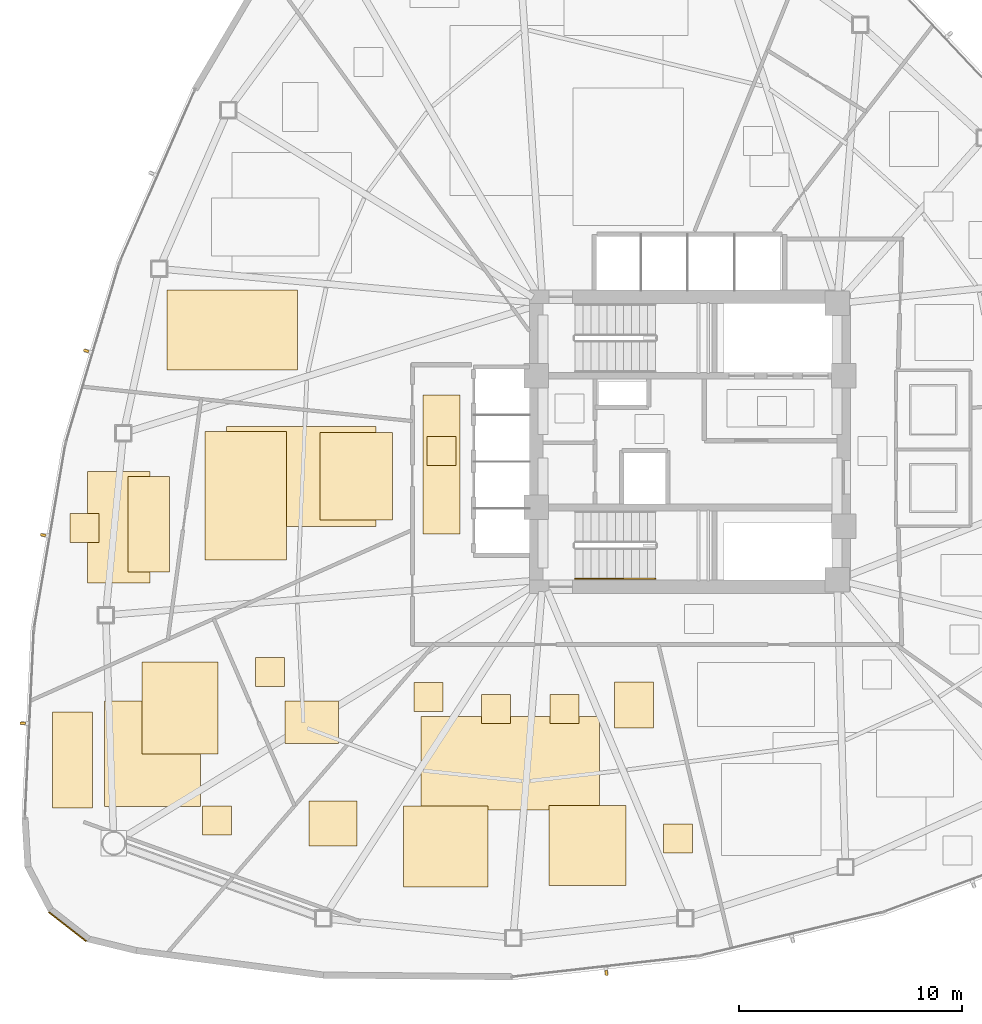
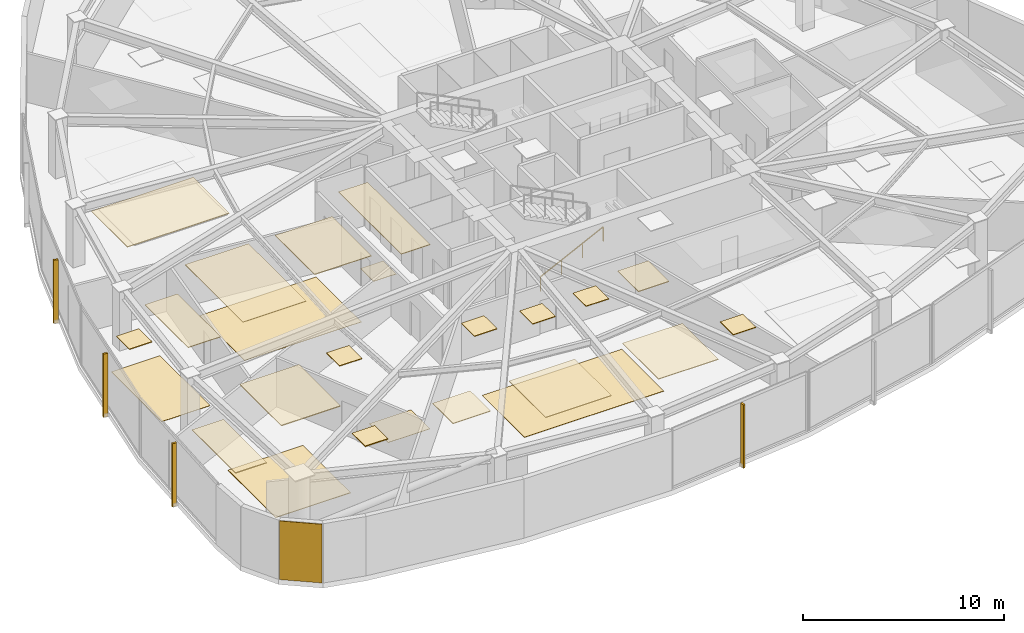
# One storey, part 14 of 17: 25 coverings, 4 shading devices, 1 railing.
"""IFC4 building model written with IfcOpenShell, lengths in metres."""

from ifc_helpers import new_model, si_unit, direction, frame, origin, origin_2d, place, context, subcontext, project, spatial, polyline, rectangle, outline, extrude, source, transform, mapped, material, layer, layer_set, type_object, type_shapes, element, save


model = new_model("IFC4")

# Units and contexts
model_context = context("Model", 3, precision=1e-05, world=origin(), true_north=direction((0.0, 1.0)))
body_context = subcontext(model_context, "Body", "Model", "MODEL_VIEW")
ifc_project = project(units=[si_unit("LENGTHUNIT", "METRE"), si_unit("AREAUNIT", "SQUARE_METRE"), si_unit("VOLUMEUNIT", "CUBIC_METRE"), si_unit("PLANEANGLEUNIT", "RADIAN"), si_unit("MASSUNIT", "GRAM", prefix="KILO")], contexts=[model_context])

# Site, building, storey
site_placement = place(None, origin())
site = spatial("IfcSite", under=ifc_project, at=site_placement, CompositionType="ELEMENT")
building_placement = place(site_placement, origin())
building = spatial("IfcBuilding", under=site, at=building_placement, Name="Tavelor Broadcast Tower", CompositionType="ELEMENT")
storey_placement = place(building_placement, frame((0.0, 0.0, 66.60009765625)))
storey = spatial("IfcBuildingStorey", under=building, at=storey_placement, Name="L15", CompositionType="ELEMENT", Elevation=66.60009765625)

# Covering
ifc_material_1 = material(Name="Copper-Bronze Anodized Aluminium", Category="aluminium")
ifc_layer_1 = layer(ifc_material_1, 0.050048828125)
ifc_layer_set_1 = layer_set([ifc_layer_1], Name="Copper-Bronze Anodized Aluminium")
covering_type_1 = type_object("IfcCoveringType", Name="Champagne-Bronze Corner Pier Metal Cladding 50 mm", PredefinedType="CLADDING", material=ifc_layer_set_1)
covering_1_placement = place(storey_placement, frame((22.08203125, 23.247314453125, 0.019775390625), z_axis=(0.0, 0.0, 1.0), x_axis=(0.788547719477, -0.614973571877, 0.0)))
element("IfcCovering", 1, at=covering_1_placement, inside=storey, type_object=covering_type_1, Name="L15 Champagne-Bronze Corner Cladding 13", PredefinedType="CLADDING", context=body_context, shape_type="SweptSolid", body=[
    extrude(rectangle(XDim=2.12841796875, YDim=0.050048828125, at=origin_2d()), origin(), (0.0, 0.0, 1.0), 3.56005859375),
])

# Railing
ifc_material_2 = material(Name="Steel S355", Category="steel")
railing_type = type_object("IfcRailingType", Name="Continuous Brushed Stainless Handrail 900 mm", PredefinedType="HANDRAIL", material=ifc_material_2)
railing_placement = place(storey_placement, frame((44.85009765625, 38.85009765625, 0.17724609375)))
element("IfcRailing", 2, at=railing_placement, inside=storey, type_object=railing_type, Name="L15 ST2 stair handrail 1", PredefinedType="HANDRAIL", context=body_context, shape_type="SweptSolid", body=[
    extrude(rectangle(XDim=0.048095703125, YDim=0.048095703125, at=origin_2d()), frame((0.0, 0.0, 0.8759765625), z_axis=(0.897124305991, 0.0, 0.441778201817), x_axis=(0.0, 1.0, 0.0)), (0.0, 0.0, 1.0), 4.0126953125),
    extrude(rectangle(XDim=0.0419921875, YDim=0.0419921875, at=origin_2d()), origin(), (0.0, 0.0, 1.0), 0.851806640625),
    extrude(rectangle(XDim=0.0419921875, YDim=0.0419921875, at=origin_2d()), frame((1.199951171875, 0.0, 0.5908203125)), (0.0, 0.0, 1.0), 0.851806640625),
    extrude(rectangle(XDim=0.0419921875, YDim=0.0419921875, at=origin_2d()), frame((2.39990234375, 0.0, 1.181884765625)), (0.0, 0.0, 1.0), 0.851806640625),
    extrude(rectangle(XDim=0.0419921875, YDim=0.0419921875, at=origin_2d()), frame((3.599853515625, 0.0, 1.772705078125)), (0.0, 0.0, 1.0), 0.851806640625),
])

# Coverings
ifc_material_3 = material(Name="Architectural Anodized Aluminium", Category="aluminium")
ifc_layer_2 = layer(ifc_material_3, 0.034912109375)
ifc_layer_set_2 = layer_set([ifc_layer_2], Name="Architectural Anodized Aluminium")
covering_type_2 = type_object("IfcCoveringType", Name="Demountable Metal Tile Corridor Ceiling 35 mm", PredefinedType="CEILING", material=ifc_layer_set_2)
covering_2_placement = place(storey_placement, frame((0.0, 0.0, 3.56494140625)))
element("IfcCovering", 3, at=covering_2_placement, inside=storey, type_object=covering_type_2, Name="L15 Suspended Acoustic Ceiling 0593", PredefinedType="CEILING", context=body_context, shape_type="SweptSolid", body=[
    extrude(outline(polyline([(38.01611328125, 40.868896484375), (39.683837890625, 40.868896484375), (39.683837890625, 47.096923828125), (38.01611328125, 47.096923828125), (38.01611328125, 40.868896484375)])), origin(), (0.0, 0.0, 1.0), 0.034912109375),
])
ifc_material_4 = material(Name="Acoustic Nylon Carpet Tile")
ifc_layer_3 = layer(ifc_material_4, 0.02001953125)
ifc_layer_set_3 = layer_set([ifc_layer_3], Name="Acoustic Nylon Carpet Tile")
covering_type_3 = type_object("IfcCoveringType", Name="Heavy-Duty Acoustic Broadcast Carpet Tile 20 mm", PredefinedType="FLOORING", material=ifc_layer_set_3)
covering_3_placement = place(storey_placement, origin())
element("IfcCovering", 4, at=covering_3_placement, inside=storey, type_object=covering_type_3, Name="L15 Broadcast Floor Finish 0206", PredefinedType="FLOORING", context=body_context, shape_type="SweptSolid", body=[
    extrude(outline(polyline([(38.199951171875, 43.925048828125), (39.5, 43.925048828125), (39.5, 45.22509765625), (38.199951171875, 45.22509765625), (38.199951171875, 43.925048828125)])), origin(), (0.0, 0.0, 1.0), 0.02001953125),
])
covering_4_placement = place(storey_placement, origin())
element("IfcCovering", 5, at=covering_4_placement, inside=storey, type_object=covering_type_3, Name="L15 Broadcast Floor Finish 0209", PredefinedType="FLOORING", context=body_context, shape_type="SweptSolid", body=[
    extrude(outline(polyline([(37.936279296875, 28.48291015625), (45.946533203125, 28.48291015625), (45.946533203125, 32.677001953125), (37.936279296875, 32.677001953125), (37.936279296875, 28.48291015625)])), origin(), (0.0, 0.0, 1.0), 0.02001953125),
])
covering_5_placement = place(storey_placement, origin())
element("IfcCovering", 6, at=covering_5_placement, inside=storey, type_object=covering_type_3, Name="L15 Broadcast Floor Finish 0211", PredefinedType="FLOORING", context=body_context, shape_type="SweptSolid", body=[
    extrude(outline(polyline([(22.98779296875, 38.671875), (25.783935546875, 38.671875), (25.783935546875, 43.66650390625), (22.98779296875, 43.66650390625), (22.98779296875, 38.671875)])), origin(), (0.0, 0.0, 1.0), 0.02001953125),
])
covering_6_placement = place(storey_placement, origin())
element("IfcCovering", 7, at=covering_6_placement, inside=storey, type_object=covering_type_3, Name="L15 Broadcast Floor Finish 0218", PredefinedType="FLOORING", context=body_context, shape_type="SweptSolid", body=[
    extrude(outline(polyline([(31.844482421875, 31.46630859375), (34.2373046875, 31.46630859375), (34.2373046875, 33.36181640625), (31.844482421875, 33.36181640625), (31.844482421875, 31.46630859375)])), origin(), (0.0, 0.0, 1.0), 0.02001953125),
])
covering_7_placement = place(storey_placement, origin())
element("IfcCovering", 8, at=covering_7_placement, inside=storey, type_object=covering_type_3, Name="L15 Broadcast Floor Finish 0219", PredefinedType="FLOORING", context=body_context, shape_type="SweptSolid", body=[
    extrude(outline(polyline([(29.21630859375, 41.191650390625), (35.919677734375, 41.191650390625), (35.919677734375, 45.689697265625), (29.21630859375, 45.689697265625), (29.21630859375, 41.191650390625)])), origin(), (0.0, 0.0, 1.0), 0.02001953125),
])
ifc_material_5 = material(Name="Acoustic Hardwood Studio Flooring", Category="wood")
ifc_layer_4 = layer(ifc_material_5, 0.034912109375)
ifc_layer_set_4 = layer_set([ifc_layer_4], Name="Acoustic Hardwood Studio Flooring")
covering_type_4 = type_object("IfcCoveringType", Name="Isolated Studio Acoustic Elastomeric Floor Finish 35 mm", PredefinedType="FLOORING", material=ifc_layer_set_4)
covering_8_placement = place(storey_placement, origin())
element("IfcCovering", 9, at=covering_8_placement, inside=storey, type_object=covering_type_4, Name="L15 Broadcast Floor Finish 0210", PredefinedType="FLOORING", context=body_context, shape_type="SweptSolid", body=[
    extrude(outline(polyline([(23.74462890625, 28.628173828125), (28.04638671875, 28.628173828125), (28.04638671875, 33.364990234375), (23.74462890625, 33.364990234375), (23.74462890625, 28.628173828125)])), origin(), (0.0, 0.0, 1.0), 0.034912109375),
])
ifc_material_6 = material(Name="Acoustic Perforated Timber Baffle", Category="wood")
ifc_layer_5 = layer(ifc_material_6, 0.054931640625)
ifc_layer_set_5 = layer_set([ifc_layer_5], Name="Acoustic Perforated Timber Baffle")
covering_type_5 = type_object("IfcCoveringType", Name="Micro-Perforated Acoustic Baffle Studio Ceiling 55 mm", PredefinedType="CEILING", material=ifc_layer_set_5)
covering_9_placement = place(storey_placement, frame((0.0, 0.0, 3.544921875)))
element("IfcCovering", 10, at=covering_9_placement, inside=storey, type_object=covering_type_5, Name="L15 Suspended Acoustic Ceiling 0604", PredefinedType="CEILING", context=body_context, shape_type="SweptSolid", body=[
    extrude(outline(polyline([(21.402099609375, 28.566650390625), (23.202880859375, 28.566650390625), (23.202880859375, 32.8828125), (21.402099609375, 32.8828125), (21.402099609375, 28.566650390625)])), origin(), (0.0, 0.0, 1.0), 0.054931640625),
])
covering_10_placement = place(storey_placement, frame((0.0, 0.0, 3.544921875)))
element("IfcCovering", 11, at=covering_10_placement, inside=storey, type_object=covering_type_5, Name="L15 Suspended Acoustic Ceiling 0605", PredefinedType="CEILING", context=body_context, shape_type="SweptSolid", body=[
    extrude(outline(polyline([(25.4296875, 30.98779296875), (28.834228515625, 30.98779296875), (28.834228515625, 35.118896484375), (25.4296875, 35.118896484375), (25.4296875, 30.98779296875)])), origin(), (0.0, 0.0, 1.0), 0.054931640625),
])
covering_11_placement = place(storey_placement, frame((0.0, 0.0, 3.544921875)))
element("IfcCovering", 12, at=covering_11_placement, inside=storey, type_object=covering_type_5, Name="L15 Suspended Acoustic Ceiling 0606", PredefinedType="CEILING", context=body_context, shape_type="SweptSolid", body=[
    extrude(outline(polyline([(28.14013671875, 27.3486328125), (29.440185546875, 27.3486328125), (29.440185546875, 28.648681640625), (28.14013671875, 28.648681640625), (28.14013671875, 27.3486328125)])), origin(), (0.0, 0.0, 1.0), 0.054931640625),
])
ifc_material_7 = material(Name="Acoustic Mineral Fibre Tile")
ifc_layer_6 = layer(ifc_material_7, 0.0400390625)
ifc_layer_set_6 = layer_set([ifc_layer_6], Name="Acoustic Mineral Fibre Tile")
covering_type_6 = type_object("IfcCoveringType", Name="Suspended Acoustic Mineral-Fibre Office Ceiling 40 mm", PredefinedType="CEILING", material=ifc_layer_set_6)
covering_12_placement = place(storey_placement, frame((0.0, 0.0, 3.559814453125)))
element("IfcCovering", 13, at=covering_12_placement, inside=storey, type_object=covering_type_6, Name="L15 Suspended Acoustic Ceiling 0596", PredefinedType="CEILING", context=body_context, shape_type="SweptSolid", body=[
    extrude(outline(polyline([(32.90576171875, 26.869873046875), (35.0625, 26.869873046875), (35.0625, 28.89208984375), (32.90576171875, 28.89208984375), (32.90576171875, 26.869873046875)])), origin(), (0.0, 0.0, 1.0), 0.0400390625),
])
covering_13_placement = place(storey_placement, frame((0.0, 0.0, 3.559814453125)))
element("IfcCovering", 14, at=covering_13_placement, inside=storey, type_object=covering_type_6, Name="L15 Suspended Acoustic Ceiling 0597", PredefinedType="CEILING", context=body_context, shape_type="SweptSolid", body=[
    extrude(outline(polyline([(37.61572265625, 32.88720703125), (38.915771484375, 32.88720703125), (38.915771484375, 34.187255859375), (37.61572265625, 34.187255859375), (37.61572265625, 32.88720703125)])), origin(), (0.0, 0.0, 1.0), 0.0400390625),
])
covering_14_placement = place(storey_placement, frame((0.0, 0.0, 3.559814453125)))
element("IfcCovering", 15, at=covering_14_placement, inside=storey, type_object=covering_type_6, Name="L15 Suspended Acoustic Ceiling 0598", PredefinedType="CEILING", context=body_context, shape_type="SweptSolid", body=[
    extrude(outline(polyline([(40.65380859375, 32.362548828125), (41.95361328125, 32.362548828125), (41.95361328125, 33.66259765625), (40.65380859375, 33.66259765625), (40.65380859375, 32.362548828125)])), origin(), (0.0, 0.0, 1.0), 0.0400390625),
])
covering_15_placement = place(storey_placement, frame((0.0, 0.0, 3.559814453125)))
element("IfcCovering", 16, at=covering_15_placement, inside=storey, type_object=covering_type_6, Name="L15 Suspended Acoustic Ceiling 0599", PredefinedType="CEILING", context=body_context, shape_type="SweptSolid", body=[
    extrude(outline(polyline([(43.7197265625, 32.3623046875), (45.019775390625, 32.3623046875), (45.019775390625, 33.662353515625), (43.7197265625, 33.662353515625), (43.7197265625, 32.3623046875)])), origin(), (0.0, 0.0, 1.0), 0.0400390625),
])
covering_16_placement = place(storey_placement, frame((0.0, 0.0, 3.559814453125)))
element("IfcCovering", 17, at=covering_16_placement, inside=storey, type_object=covering_type_6, Name="L15 Suspended Acoustic Ceiling 0600", PredefinedType="CEILING", context=body_context, shape_type="SweptSolid", body=[
    extrude(outline(polyline([(46.609130859375, 32.1669921875), (48.36865234375, 32.1669921875), (48.36865234375, 34.22900390625), (46.609130859375, 34.22900390625), (46.609130859375, 32.1669921875)])), origin(), (0.0, 0.0, 1.0), 0.0400390625),
])
covering_17_placement = place(storey_placement, frame((0.0, 0.0, 3.559814453125)))
element("IfcCovering", 18, at=covering_17_placement, inside=storey, type_object=covering_type_6, Name="L15 Suspended Acoustic Ceiling 0601", PredefinedType="CEILING", context=body_context, shape_type="SweptSolid", body=[
    extrude(outline(polyline([(48.818359375, 26.5595703125), (50.118408203125, 26.5595703125), (50.118408203125, 27.859619140625), (48.818359375, 27.859619140625), (48.818359375, 26.5595703125)])), origin(), (0.0, 0.0, 1.0), 0.0400390625),
])
covering_18_placement = place(storey_placement, frame((0.0, 0.0, 3.559814453125)))
element("IfcCovering", 19, at=covering_18_placement, inside=storey, type_object=covering_type_6, Name="L15 Suspended Acoustic Ceiling 0602", PredefinedType="CEILING", context=body_context, shape_type="SweptSolid", body=[
    extrude(outline(polyline([(37.154052734375, 25.02197265625), (40.943603515625, 25.02197265625), (40.943603515625, 28.668701171875), (37.154052734375, 28.668701171875), (37.154052734375, 25.02197265625)])), origin(), (0.0, 0.0, 1.0), 0.0400390625),
])
covering_19_placement = place(storey_placement, frame((0.0, 0.0, 3.559814453125)))
element("IfcCovering", 20, at=covering_19_placement, inside=storey, type_object=covering_type_6, Name="L15 Suspended Acoustic Ceiling 0603", PredefinedType="CEILING", context=body_context, shape_type="SweptSolid", body=[
    extrude(outline(polyline([(43.6826171875, 25.096435546875), (47.12646484375, 25.096435546875), (47.12646484375, 28.68408203125), (43.6826171875, 28.68408203125), (43.6826171875, 25.096435546875)])), origin(), (0.0, 0.0, 1.0), 0.0400390625),
])
covering_20_placement = place(storey_placement, frame((0.0, 0.0, 3.559814453125)))
element("IfcCovering", 21, at=covering_20_placement, inside=storey, type_object=covering_type_6, Name="L15 Suspended Acoustic Ceiling 0607", PredefinedType="CEILING", context=body_context, shape_type="SweptSolid", body=[
    extrude(outline(polyline([(22.196533203125, 40.487548828125), (23.49658203125, 40.487548828125), (23.49658203125, 41.78759765625), (22.196533203125, 41.78759765625), (22.196533203125, 40.487548828125)])), origin(), (0.0, 0.0, 1.0), 0.0400390625),
])
covering_21_placement = place(storey_placement, frame((0.0, 0.0, 3.559814453125)))
element("IfcCovering", 22, at=covering_21_placement, inside=storey, type_object=covering_type_6, Name="L15 Suspended Acoustic Ceiling 0608", PredefinedType="CEILING", context=body_context, shape_type="SweptSolid", body=[
    extrude(outline(polyline([(24.794677734375, 39.155517578125), (26.665771484375, 39.155517578125), (26.665771484375, 43.441650390625), (24.794677734375, 43.441650390625), (24.794677734375, 39.155517578125)])), origin(), (0.0, 0.0, 1.0), 0.0400390625),
])
covering_22_placement = place(storey_placement, frame((0.0, 0.0, 3.559814453125)))
element("IfcCovering", 23, at=covering_22_placement, inside=storey, type_object=covering_type_6, Name="L15 Suspended Acoustic Ceiling 0610", PredefinedType="CEILING", context=body_context, shape_type="SweptSolid", body=[
    extrude(outline(polyline([(26.541748046875, 48.2177734375), (32.390625, 48.2177734375), (32.390625, 51.80078125), (26.541748046875, 51.80078125), (26.541748046875, 48.2177734375)])), origin(), (0.0, 0.0, 1.0), 0.0400390625),
])
covering_23_placement = place(storey_placement, frame((0.0, 0.0, 3.559814453125)))
element("IfcCovering", 24, at=covering_23_placement, inside=storey, type_object=covering_type_6, Name="L15 Suspended Acoustic Ceiling 0633", PredefinedType="CEILING", context=body_context, shape_type="SweptSolid", body=[
    extrude(outline(polyline([(30.515869140625, 34.01171875), (31.81591796875, 34.01171875), (31.81591796875, 35.3115234375), (30.515869140625, 35.3115234375), (30.515869140625, 34.01171875)])), origin(), (0.0, 0.0, 1.0), 0.0400390625),
])
covering_24_placement = place(storey_placement, frame((0.0, 0.0, 3.559814453125)))
element("IfcCovering", 25, at=covering_24_placement, inside=storey, type_object=covering_type_6, Name="L15 Suspended Acoustic Ceiling 0634", PredefinedType="CEILING", context=body_context, shape_type="SweptSolid", body=[
    extrude(outline(polyline([(28.25732421875, 39.698486328125), (31.894775390625, 39.698486328125), (31.894775390625, 45.446044921875), (28.25732421875, 45.446044921875), (28.25732421875, 39.698486328125)])), origin(), (0.0, 0.0, 1.0), 0.0400390625),
])
covering_25_placement = place(storey_placement, frame((0.0, 0.0, 3.559814453125)))
element("IfcCovering", 26, at=covering_25_placement, inside=storey, type_object=covering_type_6, Name="L15 Suspended Acoustic Ceiling 0635", PredefinedType="CEILING", context=body_context, shape_type="SweptSolid", body=[
    extrude(outline(polyline([(33.404296875, 41.492431640625), (36.668212890625, 41.492431640625), (36.668212890625, 45.4091796875), (33.404296875, 45.4091796875), (33.404296875, 41.492431640625)])), origin(), (0.0, 0.0, 1.0), 0.0400390625),
])

# Shading devices
ifc_material_8 = material(Name="Kiln-Fired Glazed Terracotta", Category="masonry")
shading_device_type = type_object("IfcShadingDeviceType", Name="Extruded Terracotta Baguette Sun-Screen 110x240", PredefinedType="JALOUSIE", material=ifc_material_8)
shared_shape = source(origin(), body_context, "Body", "SweptSolid", [
    extrude(rectangle(XDim=0.110107421875, YDim=0.239990234375, at=origin_2d()), origin(), (0.0, 0.0, 1.0), 3.840087890625),
])
type_shapes(shading_device_type, [shared_shape])
for number, where, z_axis, x_axis, name in (
    (27, (22.92041015625, 49.073974609375, -0.26025390625), (0.0, 0.0, 1.0), (-0.286022867677, -0.95822279203, 0.0), "L15 Terracotta Baguette Fin 134"),
    (28, (20.98974609375, 40.81005859375, -0.26025390625), (0.0, 0.0, 1.0), (-0.167973243363, -0.9857915548, 0.0), "L15 Terracotta Baguette Fin 135"),
    (29, (20.0732421875, 32.373291015625, -0.26025390625), (0.0, 0.0, 1.0), (-0.047455126176, -0.998873370853, 0.0), "L15 Terracotta Baguette Fin 136"),
    (30, (46.251708984375, 21.169921875, -0.26025390625), (0.0, 0.0, 1.0), (0.99372894862, 0.111815815852, 0.0), "L15 Terracotta Baguette Fin 137"),
):
    element("IfcShadingDevice", number, at=place(storey_placement, frame(where, z_axis=z_axis, x_axis=x_axis)), inside=storey, type_object=shading_device_type, Name=name, PredefinedType="JALOUSIE", context=body_context, shape_type="MappedRepresentation", body=[
        mapped(shared_shape, transform((0.0, 0.0, 0.0), scale=1.0)),
    ])

save(model, "model.ifc")
